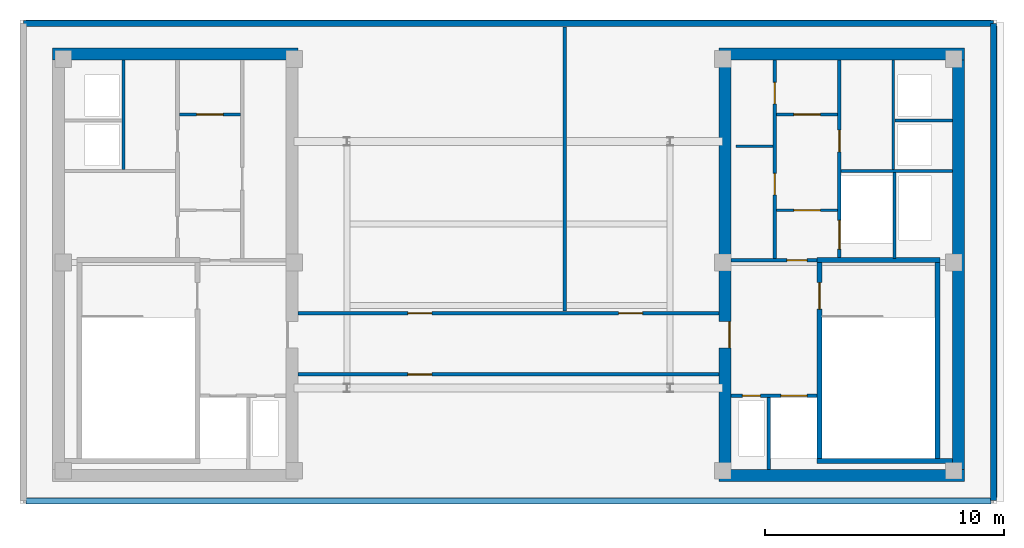
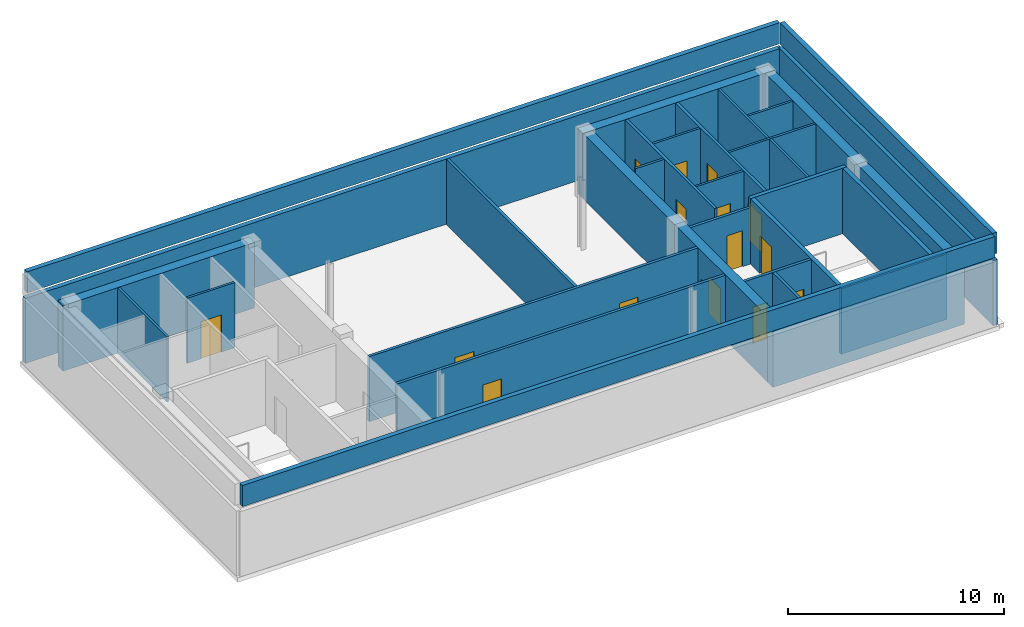
# One storey, part 3 of 4: 31 walls, 15 doors, 15 openings.
"""IFC4 building model written with IfcOpenShell, lengths in metres."""

import ifcopenshell
import ifcopenshell.guid

model = None  # the IFC model being written
_history = None  # IfcOwnerHistory: only IFC2X3 demands one
_inside = {}  # id of a spatial element -> (the spatial element, [elements in it])
_under = {}  # id of a project, library or spatial element -> (it, [spatial elements below it])
_declared = {}  # id of a project -> (the project, [libraries it declares])
_typed = {}  # id of a type object -> (the type object, [elements of that type])
_made_of = {}  # id of a material, layer set ... -> (it, [elements and type objects made of it])


def new_model(schema):
    """Start an empty IFC model of exactly this schema.

    Asked for "IFC4X3", IfcOpenShell would pick the latest addendum, in which some entities
    have other attributes; the version numbers below select the first issue.
    IFC2X3 requires an IfcOwnerHistory on every rooted entity: one is made here for all.
    """
    global model, _history
    if schema == "IFC4X3":
        model = ifcopenshell.file(schema_version=(4, 3, 0, 0))
    else:
        model = ifcopenshell.file(schema=schema)
    _inside.clear()
    _under.clear()
    _declared.clear()
    _typed.clear()
    _made_of.clear()
    _history = None
    if model.schema == "IFC2X3":
        org = make("IfcOrganization", Name="unknown")
        user = make(
            "IfcPersonAndOrganization",
            ThePerson=make("IfcPerson", FamilyName="unknown"),
            TheOrganization=org,
        )
        app = make(
            "IfcApplication",
            ApplicationDeveloper=org,
            Version="unknown",
            ApplicationFullName="unknown",
            ApplicationIdentifier="unknown",
        )
        _history = make(
            "IfcOwnerHistory",
            OwningUser=user,
            OwningApplication=app,
            ChangeAction="ADDED",
            CreationDate=0,
        )
    return model


def make(cls, **values):
    """One entity of the class cls with the attributes given. An attribute that is None is left unset."""
    return model.create_entity(
        cls, **{name: value for name, value in values.items() if value is not None}
    )


def rooted(cls, **values):
    """An entity with a GlobalId (a new one), such as an element, a storey or a relation."""
    return make(cls, GlobalId=ifcopenshell.guid.new(), OwnerHistory=_history, **values)


def si_unit(unit_type, name, prefix=None):
    """IfcSIUnit, for example si_unit("LENGTHUNIT", "METRE", prefix="MILLI")."""
    return make("IfcSIUnit", UnitType=unit_type, Prefix=prefix, Name=name)


def assignment(units):
    """IfcUnitAssignment: the units of a project."""
    return None if units is None else make("IfcUnitAssignment", Units=units)


def point(xyz):
    """IfcCartesianPoint."""
    return None if xyz is None else make("IfcCartesianPoint", Coordinates=xyz)


def direction(xyz):
    """IfcDirection."""
    return None if xyz is None else make("IfcDirection", DirectionRatios=xyz)


def frame(location, z_axis=None, x_axis=None):
    """IfcAxis2Placement3D, a coordinate frame: its origin and axes. An axis left out is left unset."""
    return make(
        "IfcAxis2Placement3D",
        Location=point(location),
        Axis=direction(z_axis),
        RefDirection=direction(x_axis),
    )


def frame_2d(location, x_axis=None):
    """IfcAxis2Placement2D, a coordinate frame in the plane: its origin and x axis."""
    return make(
        "IfcAxis2Placement2D", Location=point(location), RefDirection=direction(x_axis)
    )


def origin():
    """The frame at (0, 0, 0) with its axes left unset."""
    return frame((0.0, 0.0, 0.0))


def place(relative_to, where):
    """IfcLocalPlacement: puts the frame where relative to a parent placement (None: the world)."""
    return make(
        "IfcLocalPlacement", PlacementRelTo=relative_to, RelativePlacement=where
    )


def context(
    kind, dimensions, precision=None, world=None, true_north=None, identifier=None
):
    """IfcGeometricRepresentationContext, for example the 3D "Model" context."""
    return make(
        "IfcGeometricRepresentationContext",
        ContextIdentifier=identifier,
        ContextType=kind,
        CoordinateSpaceDimension=dimensions,
        Precision=precision,
        WorldCoordinateSystem=world,
        TrueNorth=true_north,
    )


def subcontext(parent, identifier, kind, view, scale=None):
    """IfcGeometricRepresentationSubContext, for example "Body" below "Model"."""
    return make(
        "IfcGeometricRepresentationSubContext",
        ContextIdentifier=identifier,
        ContextType=kind,
        ParentContext=parent,
        TargetScale=scale,
        TargetView=view,
    )


def project(units=None, contexts=None):
    """IfcProject with its units and contexts."""
    return rooted(
        "IfcProject",
        Name="project",
        RepresentationContexts=contexts,
        UnitsInContext=assignment(units),
    )


def spatial(cls, under=None, at=None, **own):
    """A site, building, storey or space (cls), placed at a placement, below another one or the project."""
    s = rooted(cls, ObjectPlacement=at, **own)
    if under is not None:
        _under.setdefault(under.id(), (under, []))[1].append(s)
    return s


def profile(cls, at=None, kind="AREA", **sizes):
    """A parametric profile (cls). Its sizes go by their IFC names, for example OverallWidth=200.0."""
    return make(cls, ProfileType=kind, Position=at, **sizes)


def rectangle(**sizes):
    """IfcRectangleProfileDef."""
    return profile("IfcRectangleProfileDef", **sizes)


def extrude(swept, where, along, depth):
    """IfcExtrudedAreaSolid: the profile swept, set in the frame where, extruded along a direction by depth."""
    return make(
        "IfcExtrudedAreaSolid",
        SweptArea=swept,
        Position=where,
        ExtrudedDirection=direction(along),
        Depth=depth,
    )


def shape(context_of_items, identifier, shape_type, items):
    """IfcShapeRepresentation: the items that make up one representation, for example the "Body"."""
    return make(
        "IfcShapeRepresentation",
        ContextOfItems=context_of_items,
        RepresentationIdentifier=identifier,
        RepresentationType=shape_type,
        Items=items,
    )


def material(Name=None, Category=None):
    """IfcMaterial."""
    return make("IfcMaterial", Name=Name, Category=Category)


def layer(
    of_material, thickness, ventilated=None, Name=None, Category=None, Priority=None
):
    """IfcMaterialLayer: one layer of a wall or slab, of a material (None: an air gap)."""
    return make(
        "IfcMaterialLayer",
        Material=of_material,
        LayerThickness=thickness,
        IsVentilated=ventilated,
        Name=Name,
        Category=Category,
        Priority=Priority,
    )


def layer_set(layers, Name=None):
    """IfcMaterialLayerSet."""
    return make("IfcMaterialLayerSet", MaterialLayers=layers, LayerSetName=Name)


def made_of(thing, what):
    """Note that an element or type object is made of a material, layer set ...; save() writes the relation."""
    if what is not None:
        _made_of.setdefault(what.id(), (what, []))[1].append(thing)
    return thing


def type_object(cls, material=None, **own):
    """A type object (cls), such as IfcWallType, which elements share."""
    return made_of(rooted(cls, **own), material)


def element(
    cls,
    number,
    at=None,
    inside=None,
    cuts=None,
    type_object=None,
    material=None,
    context=None,
    identifier="Body",
    shape_type=None,
    held_by="IfcProductDefinitionShape",
    body=None,
    shapes=None,
    **own,
):
    """One element of the class cls, such as IfcWall. Its Tag is "e" and its number.

    at: its placement. inside: the storey or other place that contains it. cuts: it is an
    opening in that element (IfcRelVoidsElement). A single representation is given by context,
    identifier, shape_type and body (its items); several are given by shapes. held_by: the class
    of the entity that holds the representations. save() writes the other relations.
    """
    e = rooted(cls, Tag="e%d" % number, ObjectPlacement=at, **own)
    if body is not None:
        shapes = [shape(context, identifier, shape_type, body)]
    if shapes is not None:
        e.Representation = make(held_by, Representations=shapes)
    if inside is not None:
        _inside.setdefault(inside.id(), (inside, []))[1].append(e)
    if cuts is not None:
        rooted(
            "IfcRelVoidsElement", RelatingBuildingElement=cuts, RelatedOpeningElement=e
        )
    if type_object is not None:
        _typed.setdefault(type_object.id(), (type_object, []))[1].append(e)
    return made_of(e, material)


def fill(opening, filler):
    """IfcRelFillsElement: the door or window that sits in an opening."""
    return rooted(
        "IfcRelFillsElement",
        RelatingOpeningElement=opening,
        RelatedBuildingElement=filler,
    )


def aggregate(whole, parts):
    """IfcRelAggregates: a whole, such as a stair, and the parts it consists of."""
    return rooted("IfcRelAggregates", RelatingObject=whole, RelatedObjects=parts)


def save(model, path):
    """Write the relations noted so far, then the file.

    IfcRelAggregates (storeys below a building ...), IfcRelContainedInSpatialStructure (elements
    in a storey), IfcRelDefinesByType, IfcRelAssociatesMaterial and IfcRelDeclares: one each for
    every whole, place, type object, material and project.
    """
    for whole, parts in _under.values():
        aggregate(whole, parts)
    for where, things in _inside.values():
        rooted(
            "IfcRelContainedInSpatialStructure",
            RelatedElements=things,
            RelatingStructure=where,
        )
    for kind, things in _typed.values():
        rooted("IfcRelDefinesByType", RelatedObjects=things, RelatingType=kind)
    for what, things in _made_of.values():
        rooted("IfcRelAssociatesMaterial", RelatedObjects=things, RelatingMaterial=what)
    for by, libraries in _declared.values():
        rooted("IfcRelDeclares", RelatingContext=by, RelatedDefinitions=libraries)
    model.write(path)


model = new_model("IFC4")

# Units and contexts
model_context = context("Model", 3, precision=1e-05, world=origin(), true_north=direction((0.0, 1.0)))
body_context = subcontext(model_context, "Body", "Model", "MODEL_VIEW")
ifc_project = project(units=[si_unit("LENGTHUNIT", "METRE"), si_unit("AREAUNIT", "SQUARE_METRE"), si_unit("VOLUMEUNIT", "CUBIC_METRE"), si_unit("PLANEANGLEUNIT", "RADIAN"), si_unit("MASSUNIT", "GRAM", prefix="KILO")], contexts=[model_context])

# Site, building, storey
site_placement = place(None, origin())
site = spatial("IfcSite", under=ifc_project, at=site_placement, CompositionType="ELEMENT")
building_placement = place(site_placement, origin())
building = spatial("IfcBuilding", under=site, at=building_placement, Name="Velakula Bourse", CompositionType="ELEMENT")
storey_placement = place(building_placement, frame((0.0, 0.0, 308.550048828125)))
storey = spatial("IfcBuildingStorey", under=building, at=storey_placement, Name="L84", CompositionType="ELEMENT", Elevation=308.550048828125)

# Wall, opening, door
ifc_material_1 = material(Name="Concrete M50 (fck 50 MPa)", Category="concrete")
ifc_layer_1 = layer(ifc_material_1, 0.2099609375, Name="Concrete M50 (fck 50 MPa)", Category="concrete")
ifc_layer_set_1 = layer_set([ifc_layer_1], Name="Concrete M50 (fck 50 MPa)")
wall_type_1 = type_object("IfcWallType", Name="WL-CORE-210", PredefinedType="SHEAR", material=ifc_layer_set_1)
wall_1_placement = place(storey_placement, frame((12.9951171875, -8.10009765625, 0.0), z_axis=(0.0, 0.0, 1.0), x_axis=(0.0, 1.0, 0.0)))
wall_1 = element("IfcWall", 1, at=wall_1_placement, inside=storey, type_object=wall_type_1, Name="L84 Core E Stairwell Shear Wall IN", PredefinedType="SHEAR", context=body_context, shape_type="SweptSolid", body=[
    extrude(rectangle(XDim=8.2001953125, YDim=0.2099609375, at=frame_2d((4.10009765625, 0.0))), origin(), (0.0, 0.0, 1.0), 3.7099609375),
])
opening_1_placement = place(wall_1_placement, frame((6.25, 0.0, 0.0)))
opening_1 = element("IfcOpeningElement", 2, at=opening_1_placement, cuts=wall_1, Name="Opening D-STE1", PredefinedType="OPENING", context=body_context, shape_type="SweptSolid", body=[
    extrude(rectangle(XDim=1.10009765625, YDim=2.14990234375, at=frame_2d((0.550048828125, 1.074951171875))), frame((0.0, 0.114990234375, 0.0), z_axis=(0.0, -1.0, 0.0), x_axis=(1.0, 0.0, 0.0)), (0.0, 0.0, 1.0), 0.22998046875),
])
ifc_material_2 = material(Name="Galvanised painted hollow steel fire door", Category="steel")
door_type_1 = type_object("IfcDoorType", Name="DR-FD120-1100x2150", OperationType="NOTDEFINED", PredefinedType="DOOR", material=ifc_material_2)
door_1_placement = place(opening_1_placement, origin())
door_1 = element("IfcDoor", 3, at=door_1_placement, inside=storey, type_object=door_type_1, Name="L84 Stair ST-E1 Fire Door", OperationType="SINGLE_SWING_RIGHT", OverallHeight=2.14990234375, OverallWidth=1.10009765625, PredefinedType="DOOR", context=body_context, shape_type="SweptSolid", body=[
    extrude(rectangle(XDim=1.10009765625, YDim=2.14990234375, at=frame_2d((0.550048828125, 1.074951171875))), frame((0.0, 0.02490234375, 0.0), z_axis=(0.0, -1.0, 0.0), x_axis=(1.0, 0.0, 0.0)), (0.0, 0.0, 1.0), 0.050048828125),
])
fill(opening_1, door_1)

# Walls
wall_2_placement = place(storey_placement, frame((17.925048828125, -8.10009765625, 0.0), z_axis=(0.0, 0.0, 1.0), x_axis=(0.0, 1.0, 0.0)))
element("IfcWall", 4, at=wall_2_placement, inside=storey, type_object=wall_type_1, Name="L84 Core E Stairwell Shear Wall OUT", PredefinedType="SHEAR", context=body_context, shape_type="SweptSolid", body=[
    extrude(rectangle(XDim=8.2001953125, YDim=0.2099609375, at=frame_2d((4.10009765625, 0.0))), origin(), (0.0, 0.0, 1.0), 3.7099609375),
])
wall_3_placement = place(storey_placement, frame((12.889892578125, -8.205078125, 0.0), z_axis=(0.0, 0.0, 1.0), x_axis=(1.0, 0.0, 0.0)))
element("IfcWall", 5, at=wall_3_placement, inside=storey, type_object=wall_type_1, Name="L84 Core E Stairwell Shear Wall S", PredefinedType="SHEAR", context=body_context, shape_type="SweptSolid", body=[
    extrude(rectangle(XDim=5.66015625, YDim=0.2099609375, at=frame_2d((2.830078125, 0.0))), origin(), (0.0, 0.0, 1.0), 3.7099609375),
])
wall_4_placement = place(storey_placement, frame((18.030029296875, 0.205078125, 0.0), z_axis=(0.0, 0.0, 1.0), x_axis=(-1.0, 0.0, 0.0)))
element("IfcWall", 6, at=wall_4_placement, inside=storey, type_object=wall_type_1, Name="L84 Core E Stairwell Shear Wall N", PredefinedType="SHEAR", context=body_context, shape_type="SweptSolid", body=[
    extrude(rectangle(XDim=5.14013671875, YDim=0.2099609375, at=frame_2d((2.570068359375, 0.0))), origin(), (0.0, 0.0, 1.0), 3.7099609375),
])
ifc_layer_2 = layer(ifc_material_1, 0.5, Name="Concrete M50 (fck 50 MPa)", Category="concrete")
ifc_layer_set_2 = layer_set([ifc_layer_2], Name="Concrete M50 (fck 50 MPa)")
wall_type_2 = type_object("IfcWallType", Name="WL-CORE-500", PredefinedType="SHEAR", material=ifc_layer_set_2)
for number, where, z_axis, x_axis, name in (
    (7, (-19.050048828125, 8.800048828125, 0.0), (0.0, 0.0, 1.0), (1.0, 0.0, 0.0), "L84 Core W Shear Wall N"),
    (8, (8.800048828125, -8.800048828125, 0.0), (0.0, 0.0, 1.0), (1.0, 0.0, 0.0), "L84 Core E Shear Wall S"),
    (9, (8.800048828125, 8.800048828125, 0.0), (0.0, 0.0, 1.0), (1.0, 0.0, 0.0), "L84 Core E Shear Wall N"),
):
    element("IfcWall", number, at=place(storey_placement, frame(where, z_axis=z_axis, x_axis=x_axis)), inside=storey, type_object=wall_type_2, Name=name, PredefinedType="SHEAR", context=body_context, shape_type="SweptSolid", body=[
        extrude(rectangle(XDim=10.25, YDim=0.5, at=frame_2d((5.125, 0.0))), origin(), (0.0, 0.0, 1.0), 3.7099609375),
    ])

# Wall, opening, door
wall_5_placement = place(storey_placement, frame((9.050048828125, -8.550048828125, 0.0), z_axis=(0.0, 0.0, 1.0), x_axis=(0.0, 1.0, 0.0)))
wall_5 = element("IfcWall", 10, at=wall_5_placement, inside=storey, type_object=wall_type_2, Name="L84 Core E Shear Wall W", PredefinedType="SHEAR", context=body_context, shape_type="SweptSolid", body=[
    extrude(rectangle(XDim=17.10009765625, YDim=0.5, at=frame_2d((8.550048828125, 0.0))), origin(), (0.0, 0.0, 1.0), 3.7099609375),
])
opening_2_placement = place(wall_5_placement, frame((5.080078125, 0.0, 0.0)))
opening_2 = element("IfcOpeningElement", 11, at=opening_2_placement, cuts=wall_5, Name="Opening D-FLE", PredefinedType="OPENING", context=body_context, shape_type="SweptSolid", body=[
    extrude(rectangle(XDim=1.10009765625, YDim=2.080078125, at=frame_2d((0.550048828125, 1.0400390625))), frame((0.0, 0.260009765625, 0.0), z_axis=(0.0, -1.0, 0.0), x_axis=(1.0, 0.0, 0.0)), (0.0, 0.0, 1.0), 0.52001953125),
])
door_type_2 = type_object("IfcDoorType", Name="DR-FD120-1100", OperationType="NOTDEFINED", PredefinedType="DOOR", material=ifc_material_2)
door_2_placement = place(opening_2_placement, origin())
door_2 = element("IfcDoor", 12, at=door_2_placement, inside=storey, type_object=door_type_2, Name="L84 Firefighting Lobby E Corridor Fire Door", OperationType="SINGLE_SWING_RIGHT", OverallHeight=2.080078125, OverallWidth=1.10009765625, PredefinedType="DOOR", context=body_context, shape_type="SweptSolid", body=[
    extrude(rectangle(XDim=1.10009765625, YDim=2.080078125, at=frame_2d((0.550048828125, 1.0400390625))), frame((0.0, -0.15478515625, 0.0), z_axis=(0.0, -1.0, 0.0), x_axis=(1.0, 0.0, 0.0)), (0.0, 0.0, 1.0), 0.050048828125),
])
fill(opening_2, door_2)

# Walls
wall_6_placement = place(storey_placement, frame((18.800048828125, -8.550048828125, 0.0), z_axis=(0.0, 0.0, 1.0), x_axis=(0.0, 1.0, 0.0)))
element("IfcWall", 13, at=wall_6_placement, inside=storey, type_object=wall_type_2, Name="L84 Core E Shear Wall E", PredefinedType="SHEAR", context=body_context, shape_type="SweptSolid", body=[
    extrude(rectangle(XDim=17.10009765625, YDim=0.5, at=frame_2d((8.550048828125, 0.0))), origin(), (0.0, 0.0, 1.0), 3.7099609375),
])
ifc_material_3 = material(Name="Buff kilned clay facing brick masonry", Category="masonry")
ifc_layer_3 = layer(ifc_material_3, 0.239990234375, Name="Buff kilned clay facing brick masonry", Category="masonry")
ifc_layer_set_3 = layer_set([ifc_layer_3], Name="Buff kilned clay facing brick masonry")
wall_type_3 = type_object("IfcWallType", Name="WL-EXT-CRN-240", PredefinedType="STANDARD", material=ifc_layer_set_3)
wall_7_placement = place(storey_placement, frame((20.260009765625, -9.840087890625, 0.0), z_axis=(0.0, 0.0, 1.0), x_axis=(0.0, 1.0, 0.0)))
element("IfcWall", 14, at=wall_7_placement, inside=storey, type_object=wall_type_3, Name="L84 Crown Brick Acoustic Wall E", PredefinedType="STANDARD", context=body_context, shape_type="SweptSolid", body=[
    extrude(rectangle(XDim=19.920166015625, YDim=0.239990234375, at=frame_2d((9.9599609375, 0.0))), origin(), (0.0, 0.0, 1.0), 3.68994140625),
])
wall_8_placement = place(storey_placement, frame((20.260009765625, 10.080078125, 0.0), z_axis=(0.0, 0.0, 1.0), x_axis=(-1.0, 0.0, 0.0)))
element("IfcWall", 15, at=wall_8_placement, inside=storey, type_object=wall_type_3, Name="L84 Crown Brick Acoustic Wall N", PredefinedType="STANDARD", context=body_context, shape_type="SweptSolid", body=[
    extrude(rectangle(XDim=40.52001953125, YDim=0.239990234375, at=frame_2d((20.260009765625, 0.0))), origin(), (0.0, 0.0, 1.0), 3.68994140625),
])
ifc_layer_4 = layer(ifc_material_3, 0.25, Name="Buff kilned clay facing brick masonry", Category="masonry")
ifc_layer_set_4 = layer_set([ifc_layer_4], Name="Buff kilned clay facing brick masonry")
wall_type_4 = type_object("IfcWallType", Name="WL-PAR-ROOF-250", PredefinedType="PARAPET", material=ifc_layer_set_4)
wall_9_placement = place(storey_placement, frame((-20.14990234375, 10.10009765625, 3.949951171875), z_axis=(0.0, 0.0, 1.0), x_axis=(1.0, 0.0, 0.0)))
element("IfcWall", 16, at=wall_9_placement, inside=storey, type_object=wall_type_4, Name="RF Closed Roof Perimeter Parapet 2", PredefinedType="PARAPET", context=body_context, shape_type="SweptSolid", body=[
    extrude(rectangle(XDim=40.2998046875, YDim=0.25, at=frame_2d((20.14990234375, 0.0))), origin(), (0.0, 0.0, 1.0), 1.199951171875),
])
wall_10_placement = place(storey_placement, frame((20.280029296875, 9.969970703125, 3.949951171875), z_axis=(0.0, 0.0, 1.0), x_axis=(0.0, -1.0, 0.0)))
element("IfcWall", 17, at=wall_10_placement, inside=storey, type_object=wall_type_4, Name="RF Closed Roof Perimeter Parapet 3", PredefinedType="PARAPET", context=body_context, shape_type="SweptSolid", body=[
    extrude(rectangle(XDim=19.699951171875, YDim=0.25, at=frame_2d((9.85009765625, 0.0))), origin(), (0.0, 0.0, 1.0), 1.199951171875),
])
wall_11_placement = place(storey_placement, frame((20.14990234375, -9.860107421875, 3.949951171875), z_axis=(0.0, 0.0, 1.0), x_axis=(-1.0, 0.0, 0.0)))
element("IfcWall", 18, at=wall_11_placement, inside=storey, type_object=wall_type_4, Name="RF Closed Roof Perimeter Parapet 4", PredefinedType="PARAPET", context=body_context, shape_type="SweptSolid", body=[
    extrude(rectangle(XDim=40.2998046875, YDim=0.25, at=frame_2d((20.14990234375, 0.0))), origin(), (0.0, 0.0, 1.0), 1.199951171875),
])

# Wall, opening, door
ifc_material_4 = material(Name="Fire-rated double-layer gypsum drywall partition", Category="gypsum")
ifc_layer_5 = layer(ifc_material_4, 0.1201171875, Name="Fire-rated double-layer gypsum drywall partition", Category="gypsum")
ifc_layer_set_5 = layer_set([ifc_layer_5], Name="Fire-rated double-layer gypsum drywall partition")
wall_type_5 = type_object("IfcWallType", Name="WL-PART-120", PredefinedType="STANDARD", material=ifc_layer_set_5)
wall_12_placement = place(storey_placement, frame((-13.75, 6.280029296875, 0.0), z_axis=(0.0, 0.0, 1.0), x_axis=(1.0, 0.0, 0.0)))
wall_12 = element("IfcWall", 19, at=wall_12_placement, inside=storey, type_object=wall_type_5, Name="L84 Interior Partition WL-CRW-L84-LL-K3B", PredefinedType="STANDARD", context=body_context, shape_type="SweptSolid", body=[
    extrude(rectangle(XDim=2.550048828125, YDim=0.1201171875, at=frame_2d((1.27490234375, 0.0))), origin(), (0.0, 0.0, 1.0), 3.68994140625),
])
opening_3_placement = place(wall_12_placement, frame((0.72509765625, 0.0, 0.0)))
opening_3 = element("IfcOpeningElement", 20, at=opening_3_placement, cuts=wall_12, Name="Opening D-LK3", PredefinedType="OPENING", context=body_context, shape_type="SweptSolid", body=[
    extrude(rectangle(XDim=1.10009765625, YDim=2.10009765625, at=frame_2d((0.550048828125, 1.050048828125))), frame((0.0, 0.070068359375, 0.0), z_axis=(0.0, -1.0, 0.0), x_axis=(1.0, 0.0, 0.0)), (0.0, 0.0, 1.0), 0.14013671875),
])
ifc_material_5 = material(Name="Fire-rated hardwood flush architectural door", Category="wood")
door_type_3 = type_object("IfcDoorType", Name="DR-FD60-1100x2100", OperationType="NOTDEFINED", PredefinedType="DOOR", material=ifc_material_5)
door_3_placement = place(opening_3_placement, origin())
door_3 = element("IfcDoor", 21, at=door_3_placement, inside=storey, type_object=door_type_3, Name="L84 Core W Lift Lobby Vestibule Door B", OperationType="SINGLE_SWING_RIGHT", OverallHeight=2.10009765625, OverallWidth=1.10009765625, PredefinedType="DOOR", context=body_context, shape_type="SweptSolid", body=[
    extrude(rectangle(XDim=1.10009765625, YDim=2.10009765625, at=frame_2d((0.550048828125, 1.050048828125))), frame((0.0, 0.02490234375, 0.0), z_axis=(0.0, -1.0, 0.0), x_axis=(1.0, 0.0, 0.0)), (0.0, 0.0, 1.0), 0.050048828125),
])
fill(opening_3, door_3)

# Wall
wall_13_placement = place(storey_placement, frame((-16.074951171875, 3.97998046875, 0.0), z_axis=(0.0, 0.0, 1.0), x_axis=(0.0, 1.0, 0.0)))
element("IfcWall", 22, at=wall_13_placement, inside=storey, type_object=wall_type_5, Name="L84 Interior Partition WL-CRW-L84-RIS-F", PredefinedType="STANDARD", context=body_context, shape_type="SweptSolid", body=[
    extrude(rectangle(XDim=4.570068359375, YDim=0.1201171875, at=frame_2d((2.28515625, 0.0))), origin(), (0.0, 0.0, 1.0), 3.68994140625),
])

# Wall, opening, door
wall_14_placement = place(storey_placement, frame((11.199951171875, 2.280029296875, 0.0), z_axis=(0.0, 0.0, 1.0), x_axis=(1.0, 0.0, 0.0)))
wall_14 = element("IfcWall", 23, at=wall_14_placement, inside=storey, type_object=wall_type_5, Name="L84 Interior Partition WL-CRE-L84-LL-K3A", PredefinedType="STANDARD", context=body_context, shape_type="SweptSolid", body=[
    extrude(rectangle(XDim=2.550048828125, YDim=0.1201171875, at=frame_2d((1.27490234375, 0.0))), origin(), (0.0, 0.0, 1.0), 3.68994140625),
])
opening_4_placement = place(wall_14_placement, frame((0.72509765625, 0.0, 0.0)))
opening_4 = element("IfcOpeningElement", 24, at=opening_4_placement, cuts=wall_14, Name="Opening D-LK3", PredefinedType="OPENING", context=body_context, shape_type="SweptSolid", body=[
    extrude(rectangle(XDim=1.10009765625, YDim=2.10009765625, at=frame_2d((0.550048828125, 1.050048828125))), frame((0.0, 0.070068359375, 0.0), z_axis=(0.0, -1.0, 0.0), x_axis=(1.0, 0.0, 0.0)), (0.0, 0.0, 1.0), 0.14013671875),
])
door_4_placement = place(opening_4_placement, origin())
door_4 = element("IfcDoor", 25, at=door_4_placement, inside=storey, type_object=door_type_3, Name="L84 Core E Lift Lobby Vestibule Door A", OperationType="SINGLE_SWING_RIGHT", OverallHeight=2.10009765625, OverallWidth=1.10009765625, PredefinedType="DOOR", context=body_context, shape_type="SweptSolid", body=[
    extrude(rectangle(XDim=1.10009765625, YDim=2.10009765625, at=frame_2d((0.550048828125, 1.050048828125))), frame((0.0, 0.02490234375, 0.0), z_axis=(0.0, -1.0, 0.0), x_axis=(1.0, 0.0, 0.0)), (0.0, 0.0, 1.0), 0.050048828125),
])
fill(opening_4, door_4)

wall_15_placement = place(storey_placement, frame((11.199951171875, 6.280029296875, 0.0), z_axis=(0.0, 0.0, 1.0), x_axis=(1.0, 0.0, 0.0)))
wall_15 = element("IfcWall", 26, at=wall_15_placement, inside=storey, type_object=wall_type_5, Name="L84 Interior Partition WL-CRE-L84-LL-K3B", PredefinedType="STANDARD", context=body_context, shape_type="SweptSolid", body=[
    extrude(rectangle(XDim=2.550048828125, YDim=0.1201171875, at=frame_2d((1.27490234375, 0.0))), origin(), (0.0, 0.0, 1.0), 3.68994140625),
])
opening_5_placement = place(wall_15_placement, frame((0.72509765625, 0.0, 0.0)))
opening_5 = element("IfcOpeningElement", 27, at=opening_5_placement, cuts=wall_15, Name="Opening D-LK3", PredefinedType="OPENING", context=body_context, shape_type="SweptSolid", body=[
    extrude(rectangle(XDim=1.10009765625, YDim=2.10009765625, at=frame_2d((0.550048828125, 1.050048828125))), frame((0.0, 0.070068359375, 0.0), z_axis=(0.0, -1.0, 0.0), x_axis=(1.0, 0.0, 0.0)), (0.0, 0.0, 1.0), 0.14013671875),
])
door_5_placement = place(opening_5_placement, origin())
door_5 = element("IfcDoor", 28, at=door_5_placement, inside=storey, type_object=door_type_3, Name="L84 Core E Lift Lobby Vestibule Door B", OperationType="SINGLE_SWING_RIGHT", OverallHeight=2.10009765625, OverallWidth=1.10009765625, PredefinedType="DOOR", context=body_context, shape_type="SweptSolid", body=[
    extrude(rectangle(XDim=1.10009765625, YDim=2.10009765625, at=frame_2d((0.550048828125, 1.050048828125))), frame((0.0, 0.02490234375, 0.0), z_axis=(0.0, -1.0, 0.0), x_axis=(1.0, 0.0, 0.0)), (0.0, 0.0, 1.0), 0.050048828125),
])
fill(opening_5, door_5)

# Walls
wall_16_placement = place(storey_placement, frame((9.5, 4.949951171875, 0.0), z_axis=(0.0, 0.0, 1.0), x_axis=(1.0, 0.0, 0.0)))
element("IfcWall", 29, at=wall_16_placement, inside=storey, type_object=wall_type_5, Name="L84 Interior Partition WL-CRE-L84-RCDIV", PredefinedType="STANDARD", context=body_context, shape_type="SweptSolid", body=[
    extrude(rectangle(XDim=1.550048828125, YDim=0.1201171875, at=frame_2d((0.77490234375, 0.0))), origin(), (0.0, 0.0, 1.0), 3.68994140625),
])
wall_17_placement = place(storey_placement, frame((13.89990234375, 3.919921875, 0.0), z_axis=(0.0, 0.0, 1.0), x_axis=(1.0, 0.0, 0.0)))
element("IfcWall", 30, at=wall_17_placement, inside=storey, type_object=wall_type_5, Name="L84 Interior Partition WL-CRE-L84-HI-S", PredefinedType="STANDARD", context=body_context, shape_type="SweptSolid", body=[
    extrude(rectangle(XDim=4.650146484375, YDim=0.1201171875, at=frame_2d((2.3251953125, 0.0))), origin(), (0.0, 0.0, 1.0), 3.68994140625),
])
wall_18_placement = place(storey_placement, frame((16.14990234375, 6.030029296875, 0.0), z_axis=(0.0, 0.0, 1.0), x_axis=(1.0, 0.0, 0.0)))
element("IfcWall", 31, at=wall_18_placement, inside=storey, type_object=wall_type_5, Name="L84 Interior Partition WL-CRE-L84-RIS-MID", PredefinedType="STANDARD", context=body_context, shape_type="SweptSolid", body=[
    extrude(rectangle(XDim=2.400146484375, YDim=0.1201171875, at=frame_2d((1.2001953125, 0.0))), origin(), (0.0, 0.0, 1.0), 3.68994140625),
])
wall_19_placement = place(storey_placement, frame((16.074951171875, 3.97998046875, 0.0), z_axis=(0.0, 0.0, 1.0), x_axis=(0.0, 1.0, 0.0)))
element("IfcWall", 32, at=wall_19_placement, inside=storey, type_object=wall_type_5, Name="L84 Interior Partition WL-CRE-L84-RIS-F", PredefinedType="STANDARD", context=body_context, shape_type="SweptSolid", body=[
    extrude(rectangle(XDim=4.570068359375, YDim=0.1201171875, at=frame_2d((2.28515625, 0.0))), origin(), (0.0, 0.0, 1.0), 3.68994140625),
])
wall_20_placement = place(storey_placement, frame((16.125, 0.27001953125, 0.0), z_axis=(0.0, 0.0, 1.0), x_axis=(0.0, 1.0, 0.0)))
element("IfcWall", 33, at=wall_20_placement, inside=storey, type_object=wall_type_5, Name="L84 Interior Partition WL-CRE-L84-SVL-E", PredefinedType="STANDARD", context=body_context, shape_type="SweptSolid", body=[
    extrude(rectangle(XDim=3.590087890625, YDim=0.1201171875, at=frame_2d((1.794921875, 0.0))), origin(), (0.0, 0.0, 1.0), 3.68994140625),
])

# Wall, openings, doors
ifc_material_6 = material(Name="Autoclaved aerated concrete blockwork masonry", Category="masonry")
ifc_layer_6 = layer(ifc_material_6, 0.14990234375, Name="Autoclaved aerated concrete blockwork masonry", Category="masonry")
ifc_layer_set_6 = layer_set([ifc_layer_6], Name="Autoclaved aerated concrete blockwork masonry")
wall_type_6 = type_object("IfcWallType", Name="WL-SHAFT-150", PredefinedType="STANDARD", material=ifc_layer_set_6)
wall_21_placement = place(storey_placement, frame((9.300048828125, -5.47509765625, 0.0), z_axis=(0.0, 0.0, 1.0), x_axis=(1.0, 0.0, 0.0)))
wall_21 = element("IfcWall", 34, at=wall_21_placement, inside=storey, type_object=wall_type_6, Name="L84 Interior Partition WL-CRE-L84-FFL-N", PredefinedType="STANDARD", context=body_context, shape_type="SweptSolid", body=[
    extrude(rectangle(XDim=3.594970703125, YDim=0.14990234375, at=frame_2d((1.79736328125, 0.0))), origin(), (0.0, 0.0, 1.0), 3.68994140625),
])
opening_6_placement = place(wall_21_placement, frame((2.074951171875, 0.0, 0.0)))
opening_6 = element("IfcOpeningElement", 35, at=opening_6_placement, cuts=wall_21, Name="Opening LD-FFL-2", PredefinedType="OPENING", context=body_context, shape_type="SweptSolid", body=[
    extrude(rectangle(XDim=1.10009765625, YDim=2.14990234375, at=frame_2d((0.550048828125, 1.074951171875))), frame((0.0, 0.0849609375, 0.0), z_axis=(0.0, -1.0, 0.0), x_axis=(1.0, 0.0, 0.0)), (0.0, 0.0, 1.0), 0.169921875),
])
opening_7_placement = place(wall_21_placement, frame((0.47509765625, 0.0, 0.0)))
opening_7 = element("IfcOpeningElement", 36, at=opening_7_placement, cuts=wall_21, Name="Opening D-RS1", PredefinedType="OPENING", context=body_context, shape_type="SweptSolid", body=[
    extrude(rectangle(XDim=0.75, YDim=2.050048828125, at=frame_2d((0.375, 1.02490234375))), frame((0.0, 0.0849609375, 0.0), z_axis=(0.0, -1.0, 0.0), x_axis=(1.0, 0.0, 0.0)), (0.0, 0.0, 1.0), 0.169921875),
])
door_type_4 = type_object("IfcDoorType", Name="DR-RISER-800", OperationType="NOTDEFINED", PredefinedType="DOOR", material=ifc_material_2)
door_6_placement = place(opening_7_placement, origin())
door_6 = element("IfcDoor", 37, at=door_6_placement, inside=storey, type_object=door_type_4, Name="L84 Fire Riser Access Door", OperationType="SINGLE_SWING_LEFT", OverallHeight=2.050048828125, OverallWidth=0.75, PredefinedType="DOOR", context=body_context, shape_type="SweptSolid", body=[
    extrude(rectangle(XDim=0.75, YDim=2.050048828125, at=frame_2d((0.375, 1.02490234375))), frame((0.0, 0.02490234375, 0.0), z_axis=(0.0, -1.0, 0.0), x_axis=(1.0, 0.0, 0.0)), (0.0, 0.0, 1.0), 0.050048828125),
])
fill(opening_7, door_6)
ifc_material_7 = material(Name="Brushed grade 316 stainless steel", Category="steel")
door_type_5 = type_object("IfcDoorType", Name="DR-SLIDE-FFL-1100", OperationType="DOUBLE_DOOR_SLIDING", PredefinedType="DOOR", material=ifc_material_7)
door_7_placement = place(opening_6_placement, origin())
door_7 = element("IfcDoor", 38, at=door_7_placement, inside=storey, type_object=door_type_5, Name="L84 Firefighting Lift FFL-2 Sliding Landing Door", OperationType="DOUBLE_DOOR_SLIDING", OverallHeight=2.14990234375, OverallWidth=1.10009765625, PredefinedType="DOOR", context=body_context, shape_type="SweptSolid", body=[
    extrude(rectangle(XDim=1.10009765625, YDim=2.14990234375, at=frame_2d((0.550048828125, 1.074951171875))), frame((0.0, 0.02490234375, 0.0), z_axis=(0.0, -1.0, 0.0), x_axis=(1.0, 0.0, 0.0)), (0.0, 0.0, 1.0), 0.050048828125),
])
fill(opening_6, door_7)

# Wall
wall_22_placement = place(storey_placement, frame((10.875, -8.550048828125, 0.0), z_axis=(0.0, 0.0, 1.0), x_axis=(0.0, 1.0, 0.0)))
element("IfcWall", 39, at=wall_22_placement, inside=storey, type_object=wall_type_6, Name="L84 Interior Partition WL-CRE-L84-FR-DIV", PredefinedType="STANDARD", context=body_context, shape_type="SweptSolid", body=[
    extrude(rectangle(XDim=3.0, YDim=0.14990234375, at=frame_2d((1.5, 0.0))), origin(), (0.0, 0.0, 1.0), 3.68994140625),
])

# Wall, opening, door
wall_23_placement = place(storey_placement, frame((9.300048828125, 0.18994140625, 0.0), z_axis=(0.0, 0.0, 1.0), x_axis=(1.0, 0.0, 0.0)))
wall_23 = element("IfcWall", 40, at=wall_23_placement, inside=storey, type_object=wall_type_6, Name="L84 Interior Partition WL-CRE-L84-FF-TOP", PredefinedType="STANDARD", context=body_context, shape_type="SweptSolid", body=[
    extrude(rectangle(XDim=3.58984375, YDim=0.14990234375, at=frame_2d((1.794921875, 0.0))), origin(), (0.0, 0.0, 1.0), 3.18505859375),
])
opening_8_placement = place(wall_23_placement, frame((2.324951171875, 0.0, 0.0)))
opening_8 = element("IfcOpeningElement", 41, at=opening_8_placement, cuts=wall_23, Name="Opening D-FC1", PredefinedType="OPENING", context=body_context, shape_type="SweptSolid", body=[
    extrude(rectangle(XDim=0.85009765625, YDim=2.0400390625, at=frame_2d((0.425048828125, 1.02001953125))), frame((0.0, 0.0849609375, 0.0), z_axis=(0.0, -1.0, 0.0), x_axis=(1.0, 0.0, 0.0)), (0.0, 0.0, 1.0), 0.169921875),
])
door_type_6 = type_object("IfcDoorType", Name="DR-FD120-850", OperationType="NOTDEFINED", PredefinedType="DOOR", material=ifc_material_2)
door_8_placement = place(opening_8_placement, origin())
door_8 = element("IfcDoor", 42, at=door_8_placement, inside=storey, type_object=door_type_6, Name="L84 Firefighting Lobby Link Fire Door", OperationType="SINGLE_SWING_LEFT", OverallHeight=2.0400390625, OverallWidth=0.85009765625, PredefinedType="DOOR", context=body_context, shape_type="SweptSolid", body=[
    extrude(rectangle(XDim=0.85009765625, YDim=2.0400390625, at=frame_2d((0.425048828125, 1.02001953125))), frame((0.0, 0.02490234375, 0.0), z_axis=(0.0, -1.0, 0.0), x_axis=(1.0, 0.0, 0.0)), (0.0, 0.0, 1.0), 0.050048828125),
])
fill(opening_8, door_8)

# Wall, openings, doors
wall_24_placement = place(storey_placement, frame((11.125, 0.27001953125, 0.0), z_axis=(0.0, 0.0, 1.0), x_axis=(0.0, 1.0, 0.0)))
wall_24 = element("IfcWall", 43, at=wall_24_placement, inside=storey, type_object=wall_type_6, Name="L84 Interior Partition WL-CRE-L84-BANK-F", PredefinedType="STANDARD", context=body_context, shape_type="SweptSolid", body=[
    extrude(rectangle(XDim=8.280029296875, YDim=0.14990234375, at=frame_2d((4.14013671875, 0.0))), origin(), (0.0, 0.0, 1.0), 3.68994140625),
])
opening_9_placement = place(wall_24_placement, frame((2.64990234375, 0.0, 0.0)))
opening_9 = element("IfcOpeningElement", 44, at=opening_9_placement, cuts=wall_24, Name="Opening D-RC2", PredefinedType="OPENING", context=body_context, shape_type="SweptSolid", body=[
    extrude(rectangle(XDim=0.89990234375, YDim=2.050048828125, at=frame_2d((0.449951171875, 1.02490234375))), frame((0.0, 0.0849609375, 0.0), z_axis=(0.0, -1.0, 0.0), x_axis=(1.0, 0.0, 0.0)), (0.0, 0.0, 1.0), 0.169921875),
])
opening_10_placement = place(wall_24_placement, frame((6.449951171875, 0.0, 0.0)))
opening_10 = element("IfcOpeningElement", 45, at=opening_10_placement, cuts=wall_24, Name="Opening D-RC2", PredefinedType="OPENING", context=body_context, shape_type="SweptSolid", body=[
    extrude(rectangle(XDim=0.89990234375, YDim=2.050048828125, at=frame_2d((0.449951171875, 1.02490234375))), frame((0.0, 0.0849609375, 0.0), z_axis=(0.0, -1.0, 0.0), x_axis=(1.0, 0.0, 0.0)), (0.0, 0.0, 1.0), 0.169921875),
])
door_type_7 = type_object("IfcDoorType", Name="DR-FD60-900", OperationType="NOTDEFINED", PredefinedType="DOOR", material=ifc_material_5)
door_9_placement = place(opening_9_placement, origin())
door_9 = element("IfcDoor", 46, at=door_9_placement, inside=storey, type_object=door_type_7, Name="L84 Reclaimed Vault Room Door", OperationType="SINGLE_SWING_LEFT", OverallHeight=2.050048828125, OverallWidth=0.89990234375, PredefinedType="DOOR", context=body_context, shape_type="SweptSolid", body=[
    extrude(rectangle(XDim=0.89990234375, YDim=2.050048828125, at=frame_2d((0.449951171875, 1.02490234375))), frame((0.0, 0.02490234375, 0.0), z_axis=(0.0, -1.0, 0.0), x_axis=(1.0, 0.0, 0.0)), (0.0, 0.0, 1.0), 0.050048828125),
])
fill(opening_9, door_9)
door_10_placement = place(opening_10_placement, origin())
door_10 = element("IfcDoor", 47, at=door_10_placement, inside=storey, type_object=door_type_7, Name="L84 Reclaimed Depository Store Door", OperationType="SINGLE_SWING_RIGHT", OverallHeight=2.050048828125, OverallWidth=0.89990234375, PredefinedType="DOOR", context=body_context, shape_type="SweptSolid", body=[
    extrude(rectangle(XDim=0.89990234375, YDim=2.050048828125, at=frame_2d((0.449951171875, 1.02490234375))), frame((0.0, 0.02490234375, 0.0), z_axis=(0.0, -1.0, 0.0), x_axis=(1.0, 0.0, 0.0)), (0.0, 0.0, 1.0), 0.050048828125),
])
fill(opening_10, door_10)

wall_25_placement = place(storey_placement, frame((13.824951171875, 0.27001953125, 0.0), z_axis=(0.0, 0.0, 1.0), x_axis=(0.0, 1.0, 0.0)))
wall_25 = element("IfcWall", 48, at=wall_25_placement, inside=storey, type_object=wall_type_6, Name="L84 Interior Partition WL-CRE-L84-OUT-F", PredefinedType="STANDARD", context=body_context, shape_type="SweptSolid", body=[
    extrude(rectangle(XDim=8.280029296875, YDim=0.14990234375, at=frame_2d((4.14013671875, 0.0))), origin(), (0.0, 0.0, 1.0), 3.68994140625),
])
opening_11_placement = place(wall_25_placement, frame((4.449951171875, 0.0, 0.0)))
opening_11 = element("IfcOpeningElement", 49, at=opening_11_placement, cuts=wall_25, Name="Opening D-RC3", PredefinedType="OPENING", context=body_context, shape_type="SweptSolid", body=[
    extrude(rectangle(XDim=0.89990234375, YDim=2.050048828125, at=frame_2d((0.449951171875, 1.02490234375))), frame((0.0, 0.0849609375, 0.0), z_axis=(0.0, -1.0, 0.0), x_axis=(1.0, 0.0, 0.0)), (0.0, 0.0, 1.0), 0.169921875),
])
opening_12_placement = place(wall_25_placement, frame((0.3798828125, 0.0, 0.0)))
opening_12 = element("IfcOpeningElement", 50, at=opening_12_placement, cuts=wall_25, Name="Opening LD-SVL1", PredefinedType="OPENING", context=body_context, shape_type="SweptSolid", body=[
    extrude(rectangle(XDim=1.199951171875, YDim=2.10009765625, at=frame_2d((0.60009765625, 1.050048828125))), frame((0.0, 0.0849609375, 0.0), z_axis=(0.0, -1.0, 0.0), x_axis=(1.0, 0.0, 0.0)), (0.0, 0.0, 1.0), 0.169921875),
])
door_11_placement = place(opening_11_placement, origin())
door_11 = element("IfcDoor", 51, at=door_11_placement, inside=storey, type_object=door_type_7, Name="L84 Crown Lift Machine Plant Room Door", OperationType="SINGLE_SWING_LEFT", OverallHeight=2.050048828125, OverallWidth=0.89990234375, PredefinedType="DOOR", context=body_context, shape_type="SweptSolid", body=[
    extrude(rectangle(XDim=0.89990234375, YDim=2.050048828125, at=frame_2d((0.449951171875, 1.02490234375))), frame((0.0, 0.02490234375, 0.0), z_axis=(0.0, -1.0, 0.0), x_axis=(1.0, 0.0, 0.0)), (0.0, 0.0, 1.0), 0.050048828125),
])
fill(opening_11, door_11)
door_type_8 = type_object("IfcDoorType", Name="DR-SLIDE-LD-1200", OperationType="DOUBLE_DOOR_SLIDING", PredefinedType="DOOR", material=ifc_material_7)
door_12_placement = place(opening_12_placement, origin())
door_12 = element("IfcDoor", 52, at=door_12_placement, inside=storey, type_object=door_type_8, Name="L84 Service Lift SVL-1 Sliding Landing Door", OperationType="DOUBLE_DOOR_SLIDING", OverallHeight=2.10009765625, OverallWidth=1.199951171875, PredefinedType="DOOR", context=body_context, shape_type="SweptSolid", body=[
    extrude(rectangle(XDim=1.199951171875, YDim=2.10009765625, at=frame_2d((0.60009765625, 1.050048828125))), frame((0.0, 0.02490234375, 0.0), z_axis=(0.0, -1.0, 0.0), x_axis=(1.0, 0.0, 0.0)), (0.0, 0.0, 1.0), 0.050048828125),
])
fill(opening_12, door_12)

wall_26_placement = place(storey_placement, frame((-8.800048828125, -2.02001953125, 0.0), z_axis=(0.0, 0.0, 1.0), x_axis=(1.0, 0.0, 0.0)))
wall_26 = element("IfcWall", 53, at=wall_26_placement, inside=storey, type_object=wall_type_6, Name="L84 Interior Partition WL-CRN-L84-N", PredefinedType="STANDARD", context=body_context, shape_type="SweptSolid", body=[
    extrude(rectangle(XDim=17.60009765625, YDim=0.14990234375, at=frame_2d((8.800048828125, 0.0))), origin(), (0.0, 0.0, 1.0), 3.68994140625),
])
opening_13_placement = place(wall_26_placement, frame((4.60009765625, 0.0, 0.0)))
opening_13 = element("IfcOpeningElement", 54, at=opening_13_placement, cuts=wall_26, Name="Opening D-CP3", PredefinedType="OPENING", context=body_context, shape_type="SweptSolid", body=[
    extrude(rectangle(XDim=1.0, YDim=2.02001953125, at=frame_2d((0.5, 1.010009765625))), frame((0.0, 0.0849609375, 0.0), z_axis=(0.0, -1.0, 0.0), x_axis=(1.0, 0.0, 0.0)), (0.0, 0.0, 1.0), 0.169921875),
])
opening_14_placement = place(wall_26_placement, frame((13.39990234375, 0.0, 0.0)))
opening_14 = element("IfcOpeningElement", 55, at=opening_14_placement, cuts=wall_26, Name="Opening D-CP3", PredefinedType="OPENING", context=body_context, shape_type="SweptSolid", body=[
    extrude(rectangle(XDim=1.0, YDim=2.02001953125, at=frame_2d((0.5, 1.010009765625))), frame((0.0, 0.0849609375, 0.0), z_axis=(0.0, -1.0, 0.0), x_axis=(1.0, 0.0, 0.0)), (0.0, 0.0, 1.0), 0.169921875),
])
door_type_9 = type_object("IfcDoorType", Name="DR-FD120-1000x2020", OperationType="NOTDEFINED", PredefinedType="DOOR", material=ifc_material_2)
door_13_placement = place(opening_13_placement, origin())
door_13 = element("IfcDoor", 56, at=door_13_placement, inside=storey, type_object=door_type_9, Name="L84 Heat-Recovery AHU Mechanical Plant Room Door", OperationType="SINGLE_SWING_LEFT", OverallHeight=2.02001953125, OverallWidth=1.0, PredefinedType="DOOR", context=body_context, shape_type="SweptSolid", body=[
    extrude(rectangle(XDim=1.0, YDim=2.02001953125, at=frame_2d((0.5, 1.010009765625))), frame((0.0, 0.02490234375, 0.0), z_axis=(0.0, -1.0, 0.0), x_axis=(1.0, 0.0, 0.0)), (0.0, 0.0, 1.0), 0.050048828125),
])
fill(opening_13, door_13)
door_14_placement = place(opening_14_placement, origin())
door_14 = element("IfcDoor", 57, at=door_14_placement, inside=storey, type_object=door_type_9, Name="L84 Cooling Tower and Water Tank Room Door", OperationType="SINGLE_SWING_RIGHT", OverallHeight=2.02001953125, OverallWidth=1.0, PredefinedType="DOOR", context=body_context, shape_type="SweptSolid", body=[
    extrude(rectangle(XDim=1.0, YDim=2.02001953125, at=frame_2d((0.5, 1.010009765625))), frame((0.0, 0.02490234375, 0.0), z_axis=(0.0, -1.0, 0.0), x_axis=(1.0, 0.0, 0.0)), (0.0, 0.0, 1.0), 0.050048828125),
])
fill(opening_14, door_14)

# Wall
wall_27_placement = place(storey_placement, frame((2.35009765625, -1.93994140625, 0.0), z_axis=(0.0, 0.0, 1.0), x_axis=(0.0, 1.0, 0.0)))
element("IfcWall", 58, at=wall_27_placement, inside=storey, type_object=wall_type_6, Name="L84 Interior Partition WL-CRN-L84-DIV", PredefinedType="STANDARD", context=body_context, shape_type="SweptSolid", body=[
    extrude(rectangle(XDim=11.8798828125, YDim=0.14990234375, at=frame_2d((5.93994140625, 0.0))), origin(), (0.0, 0.0, 1.0), 3.68994140625),
])

# Wall, opening, door
wall_28_placement = place(storey_placement, frame((-8.800048828125, -4.580078125, 0.0), z_axis=(0.0, 0.0, 1.0), x_axis=(1.0, 0.0, 0.0)))
wall_28 = element("IfcWall", 59, at=wall_28_placement, inside=storey, type_object=wall_type_6, Name="L84 Interior Partition WL-CRN-L84-S", PredefinedType="STANDARD", context=body_context, shape_type="SweptSolid", body=[
    extrude(rectangle(XDim=17.60009765625, YDim=0.14990234375, at=frame_2d((8.800048828125, 0.0))), origin(), (0.0, 0.0, 1.0), 3.68994140625),
])
opening_15_placement = place(wall_28_placement, frame((4.60009765625, 0.0, 0.0)))
opening_15 = element("IfcOpeningElement", 60, at=opening_15_placement, cuts=wall_28, Name="Opening D-CP2", PredefinedType="OPENING", context=body_context, shape_type="SweptSolid", body=[
    extrude(rectangle(XDim=1.0, YDim=2.02001953125, at=frame_2d((0.5, 1.010009765625))), frame((0.0, 0.0849609375, 0.0), z_axis=(0.0, -1.0, 0.0), x_axis=(1.0, 0.0, 0.0)), (0.0, 0.0, 1.0), 0.169921875),
])
door_15_placement = place(opening_15_placement, origin())
door_15 = element("IfcDoor", 61, at=door_15_placement, inside=storey, type_object=door_type_9, Name="L84 Crown Electrical Switchgear Plant Room Door", OperationType="SINGLE_SWING_LEFT", OverallHeight=2.02001953125, OverallWidth=1.0, PredefinedType="DOOR", context=body_context, shape_type="SweptSolid", body=[
    extrude(rectangle(XDim=1.0, YDim=2.02001953125, at=frame_2d((0.5, 1.010009765625))), frame((0.0, 0.02490234375, 0.0), z_axis=(0.0, -1.0, 0.0), x_axis=(1.0, 0.0, 0.0)), (0.0, 0.0, 1.0), 0.050048828125),
])
fill(opening_15, door_15)

save(model, "model.ifc")
